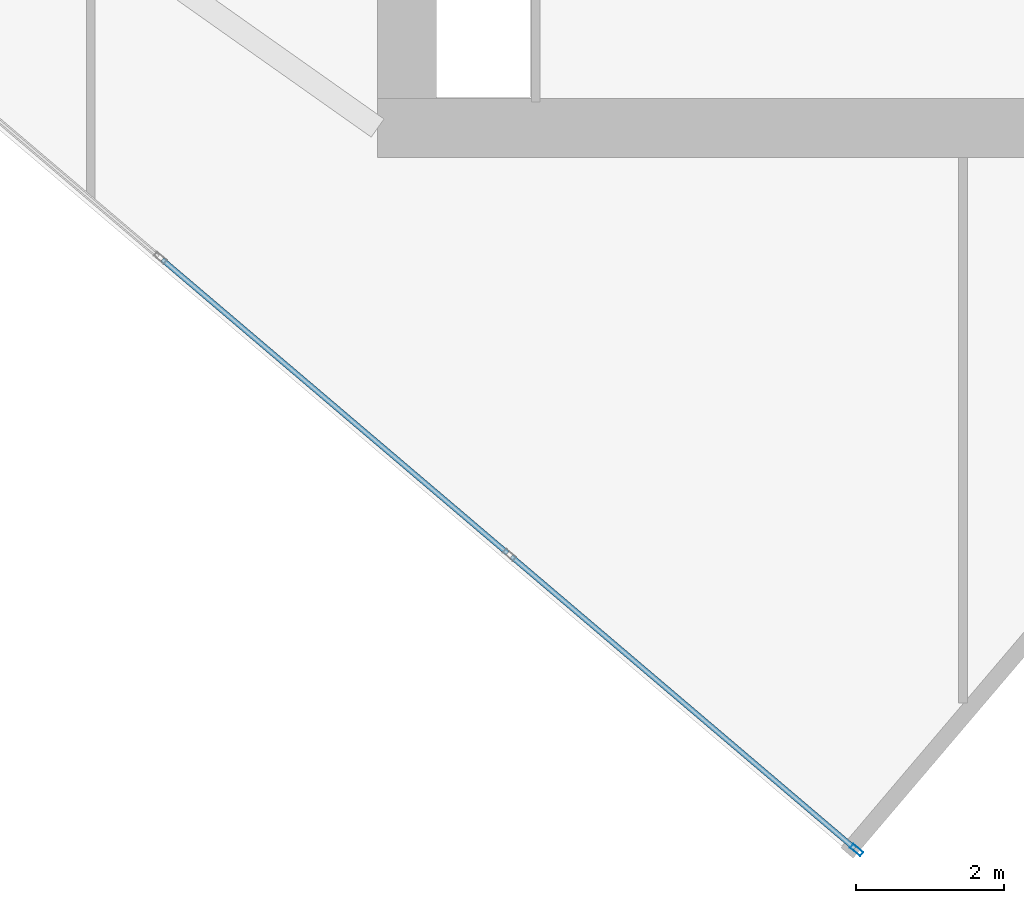
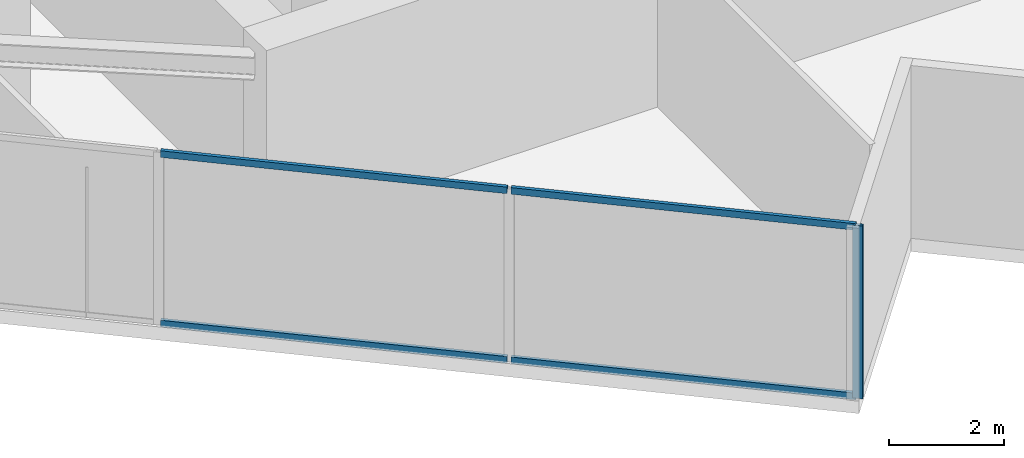
# One storey, part 3 of 25: 5 members, 1 element without a shape of its own.
"""IFC4 building model written with IfcOpenShell, lengths in metres."""

from ifc_helpers import new_model, si_unit, direction, frame, origin, origin_2d, place, context, subcontext, project, spatial, hollow_rectangle, extrude, source, transform, mapped, material, material_profile, profile_set, type_object, type_shapes, element, aggregate, save


model = new_model("IFC4")

# Units and contexts
model_context = context("Model", 3, precision=1e-05, world=origin(), true_north=direction((0.0, 1.0)))
body_context = subcontext(model_context, "Body", "Model", "MODEL_VIEW")
ifc_project = project(units=[si_unit("LENGTHUNIT", "METRE"), si_unit("AREAUNIT", "SQUARE_METRE"), si_unit("VOLUMEUNIT", "CUBIC_METRE"), si_unit("PLANEANGLEUNIT", "RADIAN"), si_unit("MASSUNIT", "GRAM", prefix="KILO")], contexts=[model_context])

# Site, building, storey
site_placement = place(None, origin())
site = spatial("IfcSite", under=ifc_project, at=site_placement, CompositionType="ELEMENT")
building_placement = place(site_placement, origin())
building = spatial("IfcBuilding", under=site, at=building_placement, Name="Krantzveldt Concourse Tower", CompositionType="ELEMENT")
storey_placement = place(building_placement, frame((0.0, 0.0, 211.25)))
storey = spatial("IfcBuildingStorey", under=building, at=storey_placement, Name="L51", CompositionType="ELEMENT", Elevation=211.25)

# Curtain wall, members
ifc_material = material(Name="Anodised aluminium 6063-T6", Category="aluminium")
curtain_wall_type = type_object("IfcCurtainWallType", Name="CW3", PredefinedType="USERDEFINED", material=ifc_material)
curtain_wall_placement = place(storey_placement, origin())
curtain_wall = element("IfcCurtainWall", 1, at=curtain_wall_placement, inside=storey, type_object=curtain_wall_type, Name="CW-L51-F04", ObjectType="UNITISED CURTAIN WALL", PredefinedType="USERDEFINED")
ifc_material_profile_1 = material_profile(ifc_material, hollow_rectangle(XDim=0.070068359375, YDim=0.179931640625, WallThickness=0.0048828125, at=origin_2d()), Name="Anodised aluminium 6063-T6", Category="aluminium")
ifc_profile_set_1 = profile_set([ifc_material_profile_1], Name="Anodised aluminium 6063-T6 - ALU-MULL 180x70x5")
member_type_1 = type_object("IfcMemberType", Name="CW-MUL-180", PredefinedType="MULLION", material=ifc_profile_set_1)
shared_shape_1 = source(origin(), body_context, "Body", "SweptSolid", [
    extrude(hollow_rectangle(XDim=0.070068359375, YDim=0.179931640625, WallThickness=0.0048828125, at=origin_2d()), origin(), (0.0, 0.0, 1.0), 3.669921875),
])
type_shapes(member_type_1, [shared_shape_1])
member_1_placement = place(storey_placement, frame((34.560302734375, 1.13330078125, 0.0), z_axis=(0.0, 0.0, 1.0), x_axis=(0.647787694805, 0.761820912327, 0.0)))
member_1 = element("IfcMember", 2, at=member_1_placement, type_object=member_type_1, Name="CW-Z34 mullion 6", PredefinedType="MULLION", context=body_context, shape_type="MappedRepresentation", body=[
    mapped(shared_shape_1, transform((0.0, 0.0, 0.0), x_axis=(1.0, 0.0, 0.0), y_axis=(0.0, 1.0, 0.0), z_axis=(0.0, 0.0, 1.0), scale=1.0)),
])
ifc_material_profile_2 = material_profile(ifc_material, hollow_rectangle(XDim=0.070068359375, YDim=0.139892578125, WallThickness=0.0048828125, at=origin_2d()), Name="Anodised aluminium 6063-T6", Category="aluminium")
ifc_profile_set_2 = profile_set([ifc_material_profile_2], Name="Anodised aluminium 6063-T6 - ALU-TRAN 140x70x5")
member_type_2 = type_object("IfcMemberType", Name="CW-TRN-150", PredefinedType="USERDEFINED", material=ifc_profile_set_2)
shared_shape_2 = source(origin(), body_context, "Body", "SweptSolid", [
    extrude(hollow_rectangle(XDim=0.070068359375, YDim=0.139892578125, WallThickness=0.0048828125, at=origin_2d()), origin(), (0.0, 0.0, 1.0), 6.1298828125),
])
member_2_placement = place(storey_placement, frame((25.1669921875, 9.120361328125, 0.034912109375), z_axis=(0.761817452252, -0.647791763952, 0.0), x_axis=(0.647791763952, 0.761817452252, 0.0)))
member_2 = element("IfcMember", 3, at=member_2_placement, type_object=member_type_2, Name="CW-Z34 transom 4.1", ObjectType="TRANSOM", PredefinedType="USERDEFINED", context=body_context, shape_type="MappedRepresentation", body=[
    mapped(shared_shape_2, transform((0.0, 0.0, 0.0), x_axis=(1.0, 0.0, 0.0), y_axis=(0.0, 1.0, 0.0), z_axis=(0.0, 0.0, 1.0), scale=1.0)),
])
member_3_placement = place(storey_placement, frame((25.1669921875, 9.120361328125, 3.635009765625), z_axis=(0.761817452252, -0.647791763952, 0.0), x_axis=(0.647791763952, 0.761817452252, 0.0)))
member_3 = element("IfcMember", 4, at=member_3_placement, type_object=member_type_2, Name="CW-Z34 transom 4.2", ObjectType="TRANSOM", PredefinedType="USERDEFINED", context=body_context, shape_type="MappedRepresentation", body=[
    mapped(shared_shape_2, transform((0.0, 0.0, 0.0), x_axis=(1.0, 0.0, 0.0), y_axis=(0.0, 1.0, 0.0), z_axis=(0.0, 0.0, 1.0), scale=1.0)),
])
shared_shape_3 = source(origin(), body_context, "Body", "SweptSolid", [
    extrude(hollow_rectangle(XDim=0.070068359375, YDim=0.139892578125, WallThickness=0.0048828125, at=origin_2d()), origin(), (0.0, 0.0, 1.0), 6.09521484375),
])
type_shapes(member_type_2, [shared_shape_2, shared_shape_3])
member_4_placement = place(storey_placement, frame((29.89013671875, 5.104248046875, 0.034912109375), z_axis=(0.761803905125, -0.647807695336, 0.0), x_axis=(0.647807695336, 0.761803905125, 0.0)))
member_4 = element("IfcMember", 5, at=member_4_placement, type_object=member_type_2, Name="CW-Z34 transom 5.1", ObjectType="TRANSOM", PredefinedType="USERDEFINED", context=body_context, shape_type="MappedRepresentation", body=[
    mapped(shared_shape_3, transform((0.0, 0.0, 0.0), x_axis=(1.0, 0.0, 0.0), y_axis=(0.0, 1.0, 0.0), z_axis=(0.0, 0.0, 1.0), scale=1.0)),
])
member_5_placement = place(storey_placement, frame((29.89013671875, 5.104248046875, 3.635009765625), z_axis=(0.761803905125, -0.647807695336, 0.0), x_axis=(0.647807695336, 0.761803905125, 0.0)))
member_5 = element("IfcMember", 6, at=member_5_placement, type_object=member_type_2, Name="CW-Z34 transom 5.2", ObjectType="TRANSOM", PredefinedType="USERDEFINED", context=body_context, shape_type="MappedRepresentation", body=[
    mapped(shared_shape_3, transform((0.0, 0.0, 0.0), x_axis=(1.0, 0.0, 0.0), y_axis=(0.0, 1.0, 0.0), z_axis=(0.0, 0.0, 1.0), scale=1.0)),
])
aggregate(curtain_wall, [member_1, member_2, member_3, member_4, member_5])

save(model, "model.ifc")
